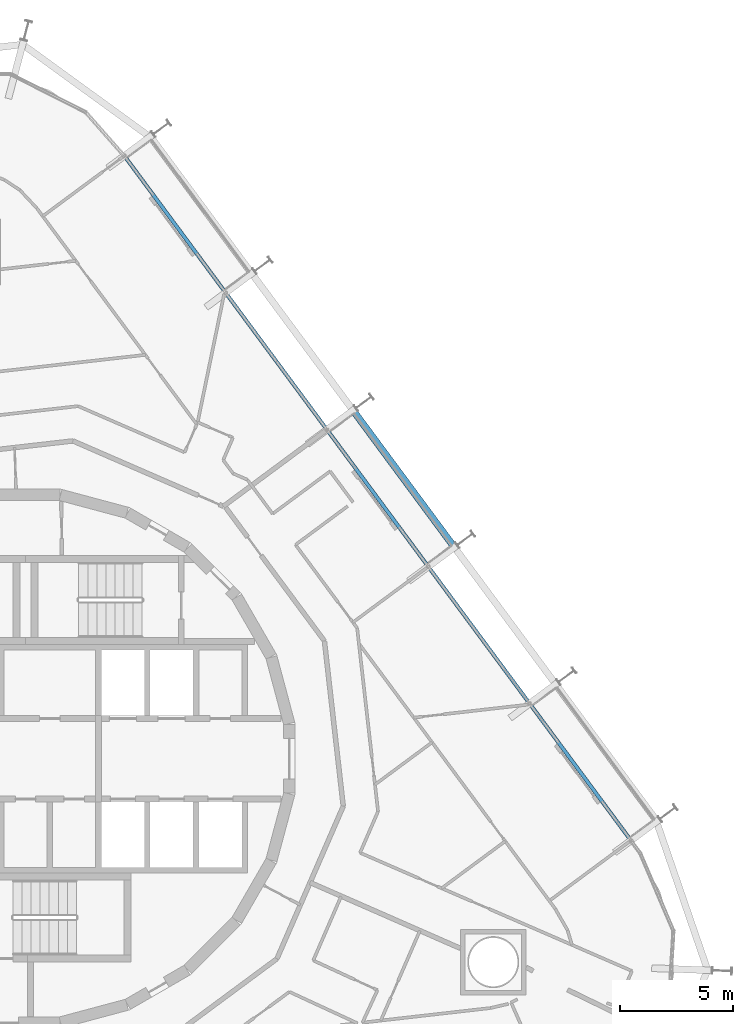
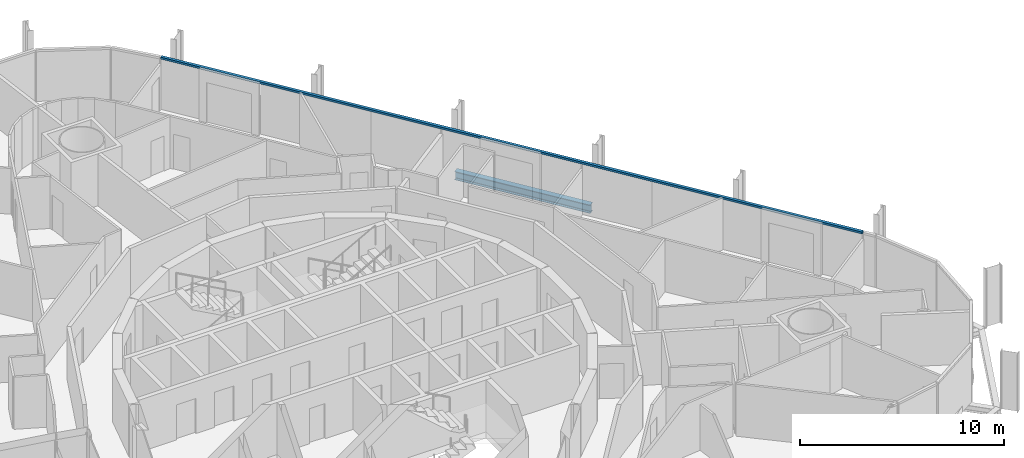
# One storey, part 10 of 22: 1 beam, 1 member, 1 element without a shape of its own.
"""IFC4 building model written with IfcOpenShell, lengths in metres."""

from ifc_helpers import new_model, si_unit, direction, frame, origin, origin_2d, place, context, subcontext, project, spatial, rectangle, i_section, extrude, material, layer, layer_set, material_profile, profile_set, type_object, element, aggregate, save


model = new_model("IFC4")

# Units and contexts
model_context = context("Model", 3, precision=1e-05, world=origin(), true_north=direction((0.0, 1.0)))
body_context = subcontext(model_context, "Body", "Model", "MODEL_VIEW")
ifc_project = project(units=[si_unit("LENGTHUNIT", "METRE"), si_unit("AREAUNIT", "SQUARE_METRE"), si_unit("VOLUMEUNIT", "CUBIC_METRE"), si_unit("PLANEANGLEUNIT", "RADIAN"), si_unit("MASSUNIT", "GRAM", prefix="KILO")], contexts=[model_context])

# Site, building, storey
site_placement = place(None, origin())
site = spatial("IfcSite", under=ifc_project, at=site_placement, CompositionType="ELEMENT")
building_placement = place(site_placement, origin())
building = spatial("IfcBuilding", under=site, at=building_placement, Name="Spindle Arch Residences", CompositionType="ELEMENT")
storey_placement = place(building_placement, frame((0.0, 0.0, 80.199951171875)))
storey = spatial("IfcBuildingStorey", under=building, at=storey_placement, Name="L18", CompositionType="ELEMENT", Elevation=80.199951171875)

# Curtain wall, member
ifc_material_1 = material(Name="Aluminium bronze unitised frame with tinted glass", Category="aluminium")
ifc_layer = layer(ifc_material_1, 0.159912109375)
ifc_layer_set = layer_set([ifc_layer], Name="CW-C typical residential unitised wall")
curtain_wall_type = type_object("IfcCurtainWallType", Name="CW-C typical residential unitised wall", PredefinedType="NOTDEFINED", material=ifc_layer_set)
curtain_wall_placement = place(storey_placement, origin())
curtain_wall = element("IfcCurtainWall", 1, at=curtain_wall_placement, inside=storey, type_object=curtain_wall_type, Name="CW-C L18 run 2", PredefinedType="NOTDEFINED")
ifc_material_2 = material(Name="Aluminium bronze anodised transom", Category="aluminium")
ifc_material_profile_1 = material_profile(ifc_material_2, rectangle(XDim=0.159912109375, YDim=0.1201171875, at=origin_2d()), Name="TR 120x160")
ifc_profile_set_1 = profile_set([ifc_material_profile_1], Name="Aluminium bronze anodised transom")
member_type = type_object("IfcMemberType", Name="Bronze transom 120x160", PredefinedType="USERDEFINED", material=ifc_profile_set_1)
member_placement = place(storey_placement, frame((26.707763671875, -3.583740234375, 3.06005859375), z_axis=(-0.594822410752, 0.803857138842, 0.0), x_axis=(-0.803857138842, -0.594822410752, 0.0)))
member = element("IfcMember", 2, at=member_placement, type_object=member_type, Name="CW-C transom 00", ObjectType="TRANSOM", PredefinedType="USERDEFINED", context=body_context, shape_type="SweptSolid", body=[
    extrude(rectangle(XDim=0.159912109375, YDim=0.1201171875, at=origin_2d()), origin(), (0.0, 0.0, 1.0), 37.5341796875),
])
aggregate(curtain_wall, [member])

# Beam
ifc_material_3 = material(Name="Steel S460ML, intumescent coating R 120", Category="steel")
ifc_material_profile_2 = material_profile(ifc_material_3, i_section(OverallWidth=0.300048828125, OverallDepth=0.5, WebThickness=0.014404296875, FlangeThickness=0.028076171875, FilletRadius=0.027099609375, at=origin_2d()), Name="HEB 500")
ifc_profile_set_2 = profile_set([ifc_material_profile_2], Name="Steel S460ML, intumescent coating R 120")
beam_type = type_object("IfcBeamType", Name="Exoskeleton edge beam HEB 500", PredefinedType="BEAM", material=ifc_profile_set_2)
beam_placement = place(storey_placement, frame((18.85546875, 9.437255859375, -0.6298828125), z_axis=(-0.59484300541, 0.803841899203, 0.0), x_axis=(-0.803841899203, -0.59484300541, 0.0)))
element("IfcBeam", 3, at=beam_placement, inside=storey, type_object=beam_type, Name="Exoskeleton edge beam 8", PredefinedType="BEAM", context=body_context, shape_type="SweptSolid", body=[
    extrude(i_section(OverallWidth=0.300048828125, OverallDepth=0.5, WebThickness=0.014404296875, FlangeThickness=0.028076171875, FilletRadius=0.027099609375, at=origin_2d()), origin(), (0.0, 0.0, 1.0), 7.2587890625),
])

save(model, "model.ifc")
